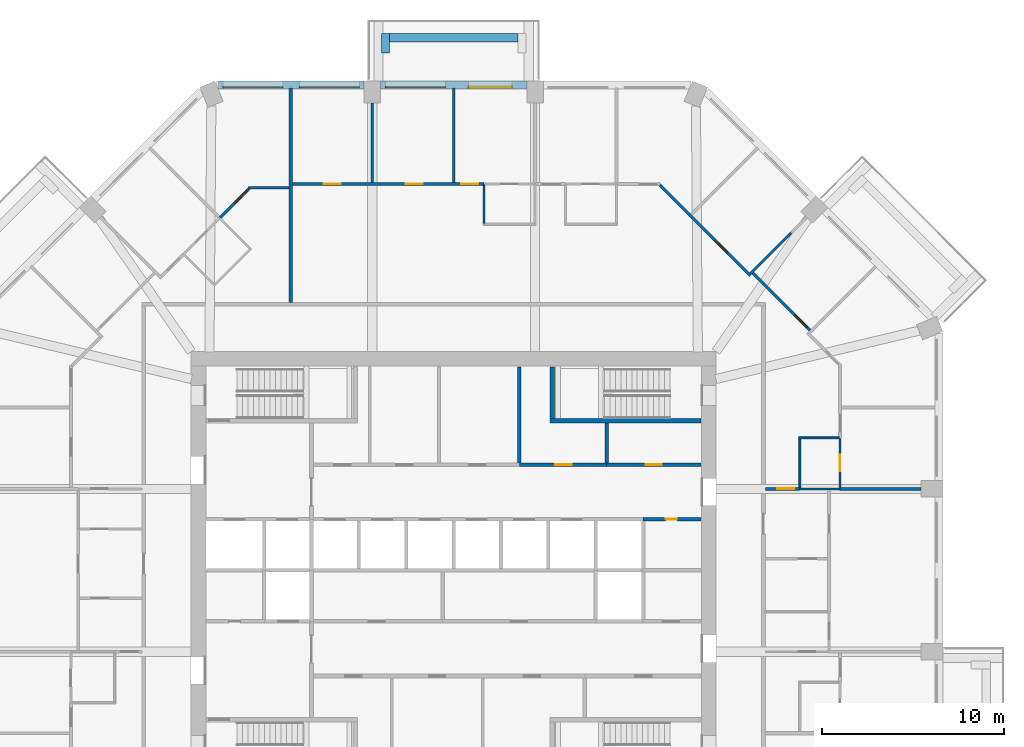
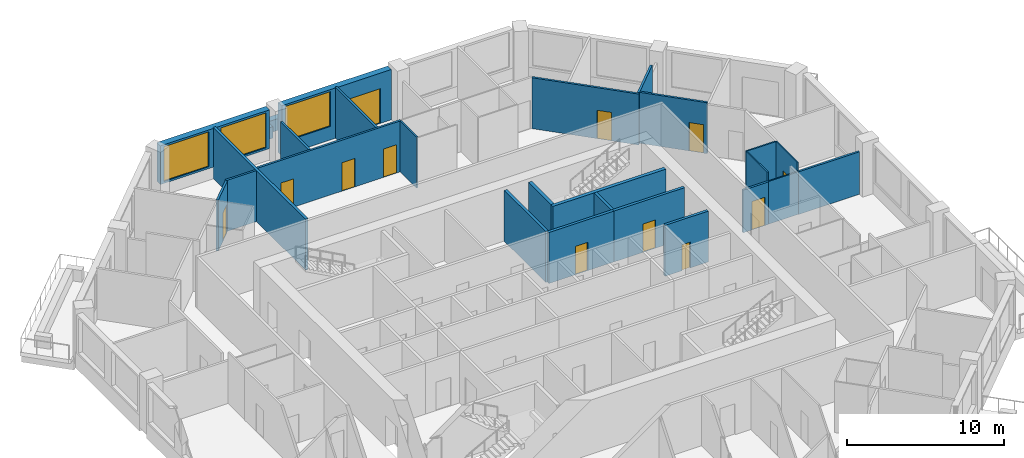
# One storey, part 9 of 12: 27 walls, 12 doors, 3 windows, 15 openings.
"""IFC4 building model written with IfcOpenShell, lengths in metres."""

from ifc_helpers import new_model, si_unit, direction, frame, frame_2d, origin, place, context, subcontext, project, spatial, rectangle, extrude, material, layer, layer_set, type_object, element, fill, save


model = new_model("IFC4")

# Units and contexts
model_context = context("Model", 3, precision=1e-05, world=origin(), true_north=direction((0.0, 1.0)))
body_context = subcontext(model_context, "Body", "Model", "MODEL_VIEW")
ifc_project = project(units=[si_unit("LENGTHUNIT", "METRE"), si_unit("AREAUNIT", "SQUARE_METRE"), si_unit("VOLUMEUNIT", "CUBIC_METRE"), si_unit("PLANEANGLEUNIT", "RADIAN"), si_unit("MASSUNIT", "GRAM", prefix="KILO")], contexts=[model_context])

# Site, building, storey
site_placement = place(None, origin())
site = spatial("IfcSite", under=ifc_project, at=site_placement, CompositionType="ELEMENT")
building_placement = place(site_placement, origin())
building = spatial("IfcBuilding", under=site, at=building_placement, Name="Msitu Wima Residences", CompositionType="ELEMENT")
storey_placement = place(building_placement, frame((0.0, 0.0, 119.10009765625)))
storey = spatial("IfcBuildingStorey", under=building, at=storey_placement, Name="L27", CompositionType="ELEMENT", Elevation=119.10009765625)

# Walls
ifc_material_1 = material(Name="Facing brick")
ifc_layer_1 = layer(ifc_material_1, 0.06494140625, Name="Facing brick")
ifc_material_2 = material(Name="Concrete C40/50", Category="concrete")
ifc_layer_2 = layer(ifc_material_2, 0.156005859375, Name="Concrete C40/50")
ifc_material_3 = material(Name="Waterproofing membrane")
ifc_layer_3 = layer(ifc_material_3, 0.00390625, Name="Waterproofing membrane")
ifc_material_4 = material(Name="Planting soil and planting")
ifc_layer_4 = layer(ifc_material_4, 0.22509765625, Name="Planting soil and planting")
ifc_layer_set_1 = layer_set([ifc_layer_1, ifc_layer_2, ifc_layer_3, ifc_layer_4], Name="Concrete C40/50")
wall_type_1 = type_object("IfcWallType", Name="Balcony planter PLANTER PL450", PredefinedType="USERDEFINED", material=ifc_layer_set_1)
wall_1_placement = place(storey_placement, frame((3.5185546875, 29.22509765625, 0.0), z_axis=(0.0, 0.0, 1.0), x_axis=(-1.0, 0.0, 0.0)))
element("IfcWall", 1, at=wall_1_placement, inside=storey, type_object=wall_type_1, Name="Balcony planter N1 L27", ObjectType="PLANTER", PredefinedType="USERDEFINED", context=body_context, shape_type="SweptSolid", body=[
    extrude(rectangle(XDim=7.037109375, YDim=0.449951171875, at=frame_2d((3.5185546875, 0.0))), origin(), (0.0, 0.0, 1.0), 0.89990234375),
])
wall_2_placement = place(storey_placement, frame((-3.74365234375, 28.39990234375, 0.0), z_axis=(0.0, 0.0, 1.0), x_axis=(0.0, 1.0, 0.0)))
element("IfcWall", 2, at=wall_2_placement, inside=storey, type_object=wall_type_1, Name="Balcony planter N1 L27", ObjectType="PLANTER", PredefinedType="USERDEFINED", context=body_context, shape_type="SweptSolid", body=[
    extrude(rectangle(XDim=1.050048828125, YDim=0.449951171875, at=frame_2d((0.52490234375, 0.0))), origin(), (0.0, 0.0, 1.0), 0.89990234375),
])

# Wall, openings, door, window
ifc_material_5 = material(Name="Brick (red buff mix)", Category="masonry")
ifc_layer_5 = layer(ifc_material_5, 0.449951171875)
ifc_layer_set_2 = layer_set([ifc_layer_5], Name="Brick (red buff mix)")
wall_type_2 = type_object("IfcWallType", Name="Brick infill wall BW450", PredefinedType="SOLIDWALL", material=ifc_layer_set_2)
wall_3_placement = place(storey_placement, frame((4.0185546875, 26.625, 0.0), z_axis=(0.0, 0.0, 1.0), x_axis=(-1.0, 0.0, 0.0)))
wall_3 = element("IfcWall", 3, at=wall_3_placement, inside=storey, type_object=wall_type_2, Name="Brick infill wall L27 N1", PredefinedType="SOLIDWALL", context=body_context, shape_type="SweptSolid", body=[
    extrude(rectangle(XDim=8.037109375, YDim=0.449951171875, at=frame_2d((4.0185546875, 0.0))), origin(), (0.0, 0.0, 1.0), 3.89990234375),
])
opening_1_placement = place(wall_3_placement, frame((0.809326171875, 0.0, 0.0)))
opening_1 = element("IfcOpeningElement", 4, at=opening_1_placement, cuts=wall_3, Name="Opening D27-29.002", PredefinedType="OPENING", context=body_context, shape_type="SweptSolid", body=[
    extrude(rectangle(XDim=2.39990234375, YDim=2.699951171875, at=frame_2d((1.199951171875, 1.35009765625))), frame((0.0, 0.23486328125, 0.0), z_axis=(0.0, -1.0, 0.0), x_axis=(1.0, 0.0, 0.0)), (0.0, 0.0, 1.0), 0.469970703125),
])
opening_2_placement = place(wall_3_placement, frame((4.46875, 0.0, 1.050048828125)))
opening_2 = element("IfcOpeningElement", 5, at=opening_2_placement, cuts=wall_3, Name="Opening W27-29.008", PredefinedType="OPENING", context=body_context, shape_type="SweptSolid", body=[
    extrude(rectangle(XDim=3.300048828125, YDim=2.699951171875, at=frame_2d((1.64990234375, 1.35009765625))), frame((0.0, 0.23486328125, 0.0), z_axis=(0.0, -1.0, 0.0), x_axis=(1.0, 0.0, 0.0)), (0.0, 0.0, 1.0), 0.469970703125),
])
ifc_material_6 = material(Name="Anodised aluminium, bronze finish, clear low-emissivity double glazing", Category="aluminium")
door_type_1 = type_object("IfcDoorType", Name="Balcony door D2400x2700", OperationType="SLIDING_TO_LEFT", PredefinedType="DOOR", material=ifc_material_6)
door_1_placement = place(opening_1_placement, origin())
door_1 = element("IfcDoor", 6, at=door_1_placement, inside=storey, type_object=door_type_1, Name="Balcony door L27 N1", OperationType="SINGLE_SWING_LEFT", OverallHeight=2.699951171875, OverallWidth=2.39990234375, PredefinedType="DOOR", context=body_context, shape_type="SweptSolid", body=[
    extrude(rectangle(XDim=2.39990234375, YDim=2.699951171875, at=frame_2d((1.199951171875, 1.35009765625))), frame((0.0, 0.1298828125, 0.0), z_axis=(0.0, -1.0, 0.0), x_axis=(1.0, 0.0, 0.0)), (0.0, 0.0, 1.0), 0.050048828125),
])
fill(opening_1, door_1)
window_type = type_object("IfcWindowType", Name="Window W3300x2700", PartitioningType="DOUBLE_PANEL_VERTICAL", PredefinedType="WINDOW", material=ifc_material_6)
window_1_placement = place(opening_2_placement, origin())
window_1 = element("IfcWindow", 7, at=window_1_placement, inside=storey, type_object=window_type, Name="Window L27 N1.2", OverallHeight=2.699951171875, OverallWidth=3.300048828125, PartitioningType="SINGLE_PANEL", PredefinedType="WINDOW", context=body_context, shape_type="SweptSolid", body=[
    extrude(rectangle(XDim=3.300048828125, YDim=2.699951171875, at=frame_2d((1.64990234375, 1.35009765625))), frame((0.0, 0.135009765625, 0.0), z_axis=(0.0, -1.0, 0.0), x_axis=(1.0, 0.0, 0.0)), (0.0, 0.0, 1.0), 0.06005859375),
])
fill(opening_2, window_1)

# Wall, openings, windows
wall_4_placement = place(storey_placement, frame((-4.918701171875, 26.625, 0.89990234375), z_axis=(0.0, 0.0, 1.0), x_axis=(-1.0, 0.0, 0.0)))
wall_4 = element("IfcWall", 8, at=wall_4_placement, inside=storey, type_object=wall_type_2, Name="Brick infill wall L27 N2", PredefinedType="SOLIDWALL", context=body_context, shape_type="SweptSolid", body=[
    extrude(rectangle(XDim=8.0, YDim=0.449951171875, at=frame_2d((4.0, 0.0))), origin(), (0.0, 0.0, 1.0), 3.0),
])
opening_3_placement = place(wall_4_placement, frame((0.25, 0.0, 0.14990234375)))
opening_3 = element("IfcOpeningElement", 9, at=opening_3_placement, cuts=wall_4, Name="Opening W27-29.009", PredefinedType="OPENING", context=body_context, shape_type="SweptSolid", body=[
    extrude(rectangle(XDim=3.300048828125, YDim=2.699951171875, at=frame_2d((1.64990234375, 1.35009765625))), frame((0.0, 0.23486328125, 0.0), z_axis=(0.0, -1.0, 0.0), x_axis=(1.0, 0.0, 0.0)), (0.0, 0.0, 1.0), 0.469970703125),
])
opening_4_placement = place(wall_4_placement, frame((4.4501953125, 0.0, 0.14990234375)))
opening_4 = element("IfcOpeningElement", 10, at=opening_4_placement, cuts=wall_4, Name="Opening W27-29.010", PredefinedType="OPENING", context=body_context, shape_type="SweptSolid", body=[
    extrude(rectangle(XDim=3.300048828125, YDim=2.699951171875, at=frame_2d((1.64990234375, 1.35009765625))), frame((0.0, 0.23486328125, 0.0), z_axis=(0.0, -1.0, 0.0), x_axis=(1.0, 0.0, 0.0)), (0.0, 0.0, 1.0), 0.469970703125),
])
window_2_placement = place(opening_3_placement, origin())
window_2 = element("IfcWindow", 11, at=window_2_placement, inside=storey, type_object=window_type, Name="Window L27 N2.1", OverallHeight=2.699951171875, OverallWidth=3.300048828125, PartitioningType="SINGLE_PANEL", PredefinedType="WINDOW", context=body_context, shape_type="SweptSolid", body=[
    extrude(rectangle(XDim=3.300048828125, YDim=2.699951171875, at=frame_2d((1.64990234375, 1.35009765625))), frame((0.0, 0.135009765625, 0.0), z_axis=(0.0, -1.0, 0.0), x_axis=(1.0, 0.0, 0.0)), (0.0, 0.0, 1.0), 0.06005859375),
])
fill(opening_3, window_2)
window_3_placement = place(opening_4_placement, origin())
window_3 = element("IfcWindow", 12, at=window_3_placement, inside=storey, type_object=window_type, Name="Window L27 N2.2", OverallHeight=2.699951171875, OverallWidth=3.300048828125, PartitioningType="SINGLE_PANEL", PredefinedType="WINDOW", context=body_context, shape_type="SweptSolid", body=[
    extrude(rectangle(XDim=3.300048828125, YDim=2.699951171875, at=frame_2d((1.64990234375, 1.35009765625))), frame((0.0, 0.135009765625, 0.0), z_axis=(0.0, -1.0, 0.0), x_axis=(1.0, 0.0, 0.0)), (0.0, 0.0, 1.0), 0.06005859375),
])
fill(opening_4, window_3)

# Wall, opening, door
ifc_material_7 = material(Name="Plaster")
ifc_layer_6 = layer(ifc_material_7, 0.011962890625, Name="Plaster")
ifc_material_8 = material(Name="Concrete blockwork", Category="masonry")
ifc_layer_7 = layer(ifc_material_8, 0.176025390625, Name="Concrete blockwork")
ifc_layer_8 = layer(ifc_material_7, 0.011962890625, Name="Plaster")
ifc_layer_set_3 = layer_set([ifc_layer_6, ifc_layer_7, ifc_layer_8], Name="Concrete blockwork")
wall_type_3 = type_object("IfcWallType", Name="Corridor wall FW200", PredefinedType="PARTITIONING", material=ifc_layer_set_3)
wall_5_placement = place(storey_placement, frame((8.3798828125, 5.800048828125, 0.0), z_axis=(0.0, 0.0, 1.0), x_axis=(1.0, 0.0, 0.0)))
wall_5 = element("IfcWall", 13, at=wall_5_placement, inside=storey, type_object=wall_type_3, Name="Corridor wall", PredefinedType="PARTITIONING", context=body_context, shape_type="SweptSolid", body=[
    extrude(rectangle(XDim=5.190185546875, YDim=0.199951171875, at=frame_2d((2.59521484375, 0.0))), origin(), (0.0, 0.0, 1.0), 3.949951171875),
])
opening_5_placement = place(wall_5_placement, frame((2.14990234375, 0.0, 0.0)))
opening_5 = element("IfcOpeningElement", 14, at=opening_5_placement, cuts=wall_5, Name="Opening D27-29.020", PredefinedType="OPENING", context=body_context, shape_type="SweptSolid", body=[
    extrude(rectangle(XDim=0.89990234375, YDim=2.199951171875, at=frame_2d((0.449951171875, 1.10009765625))), frame((0.0, 0.10986328125, 0.0), z_axis=(0.0, -1.0, 0.0), x_axis=(1.0, 0.0, 0.0)), (0.0, 0.0, 1.0), 0.219970703125),
])
ifc_material_9 = material(Name="Timber flush door", Category="wood")
door_type_2 = type_object("IfcDoorType", Name="Service door D05 900x2200", OperationType="SINGLE_SWING_LEFT", PredefinedType="DOOR", material=ifc_material_9)
door_2_placement = place(opening_5_placement, origin())
door_2 = element("IfcDoor", 15, at=door_2_placement, inside=storey, type_object=door_type_2, Name="Service door", OperationType="SINGLE_SWING_LEFT", OverallHeight=2.199951171875, OverallWidth=0.89990234375, PredefinedType="DOOR", context=body_context, shape_type="SweptSolid", body=[
    extrude(rectangle(XDim=0.89990234375, YDim=2.199951171875, at=frame_2d((0.449951171875, 1.10009765625))), frame((0.0, 0.02490234375, 0.0), z_axis=(0.0, -1.0, 0.0), x_axis=(1.0, 0.0, 0.0)), (0.0, 0.0, 1.0), 0.050048828125),
])
fill(opening_5, door_2)

ifc_layer_9 = layer(ifc_material_7, 0.011962890625, Name="Plaster")
ifc_layer_10 = layer(ifc_material_8, 0.1259765625, Name="Concrete blockwork")
ifc_layer_11 = layer(ifc_material_7, 0.011962890625, Name="Plaster")
ifc_layer_set_4 = layer_set([ifc_layer_9, ifc_layer_10, ifc_layer_11], Name="Concrete blockwork")
wall_type_4 = type_object("IfcWallType", Name="Partition PW150", PredefinedType="PARTITIONING", material=ifc_layer_set_4)
wall_6_placement = place(storey_placement, frame((-12.82177734375, 19.34716796875, 0.0), z_axis=(0.0, 0.0, 1.0), x_axis=(0.707052822105, 0.70716073615, 0.0)))
wall_6 = element("IfcWall", 16, at=wall_6_placement, inside=storey, type_object=wall_type_4, Name="Partition", PredefinedType="PARTITIONING", context=body_context, shape_type="SweptSolid", body=[
    extrude(rectangle(XDim=2.262451171875, YDim=0.14990234375, at=frame_2d((1.13134765625, 0.0))), origin(), (0.0, 0.0, 1.0), 3.949951171875),
])
opening_6_placement = place(wall_6_placement, frame((1.14990234375, 0.0, 0.0)))
opening_6 = element("IfcOpeningElement", 17, at=opening_6_placement, cuts=wall_6, Name="Opening D27-29.057", PredefinedType="OPENING", context=body_context, shape_type="SweptSolid", body=[
    extrude(rectangle(XDim=0.949951171875, YDim=2.199951171875, at=frame_2d((0.47509765625, 1.10009765625))), frame((0.0, 0.0849609375, 0.0), z_axis=(0.0, -1.0, 0.0), x_axis=(1.0, 0.0, 0.0)), (0.0, 0.0, 1.0), 0.169921875),
])
door_type_3 = type_object("IfcDoorType", Name="Room door D12 950x2200", OperationType="SINGLE_SWING_LEFT", PredefinedType="DOOR", material=ifc_material_9)
door_3_placement = place(opening_6_placement, origin())
door_3 = element("IfcDoor", 18, at=door_3_placement, inside=storey, type_object=door_type_3, Name="Room door", OperationType="SINGLE_SWING_LEFT", OverallHeight=2.199951171875, OverallWidth=0.949951171875, PredefinedType="DOOR", context=body_context, shape_type="SweptSolid", body=[
    extrude(rectangle(XDim=0.949951171875, YDim=2.199951171875, at=frame_2d((0.47509765625, 1.10009765625))), frame((0.0, 0.02490234375, 0.0), z_axis=(0.0, -1.0, 0.0), x_axis=(1.0, 0.0, 0.0)), (0.0, 0.0, 1.0), 0.050048828125),
])
fill(opening_6, door_3)

# Wall
wall_7_placement = place(storey_placement, frame((-11.244140625, 21.0, 0.0), z_axis=(0.0, 0.0, 1.0), x_axis=(1.0, 0.0, 0.0)))
element("IfcWall", 19, at=wall_7_placement, inside=storey, type_object=wall_type_4, Name="Partition", PredefinedType="PARTITIONING", context=body_context, shape_type="SweptSolid", body=[
    extrude(rectangle(XDim=2.206787109375, YDim=0.14990234375, at=frame_2d((1.103515625, 0.0))), origin(), (0.0, 0.0, 1.0), 3.949951171875),
])

# Wall, openings, doors
wall_8_placement = place(storey_placement, frame((-8.837158203125, 21.199951171875, 0.0), z_axis=(0.0, 0.0, 1.0), x_axis=(1.0, 0.0, 0.0)))
wall_8 = element("IfcWall", 20, at=wall_8_placement, inside=storey, type_object=wall_type_4, Name="Partition", PredefinedType="PARTITIONING", context=body_context, shape_type="SweptSolid", body=[
    extrude(rectangle(XDim=10.505859375, YDim=0.14990234375, at=frame_2d((5.2529296875, 0.0))), origin(), (0.0, 0.0, 1.0), 3.949951171875),
])
opening_7_placement = place(wall_8_placement, frame((1.699951171875, 0.0, 0.0)))
opening_7 = element("IfcOpeningElement", 21, at=opening_7_placement, cuts=wall_8, Name="Opening D27-29.070", PredefinedType="OPENING", context=body_context, shape_type="SweptSolid", body=[
    extrude(rectangle(XDim=0.949951171875, YDim=2.199951171875, at=frame_2d((0.47509765625, 1.10009765625))), frame((0.0, 0.0849609375, 0.0), z_axis=(0.0, -1.0, 0.0), x_axis=(1.0, 0.0, 0.0)), (0.0, 0.0, 1.0), 0.169921875),
])
opening_8_placement = place(wall_8_placement, frame((9.25, 0.0, 0.0)))
opening_8 = element("IfcOpeningElement", 22, at=opening_8_placement, cuts=wall_8, Name="Opening D27-29.086", PredefinedType="OPENING", context=body_context, shape_type="SweptSolid", body=[
    extrude(rectangle(XDim=0.949951171875, YDim=2.199951171875, at=frame_2d((0.47509765625, 1.10009765625))), frame((0.0, 0.0849609375, 0.0), z_axis=(0.0, -1.0, 0.0), x_axis=(1.0, 0.0, 0.0)), (0.0, 0.0, 1.0), 0.169921875),
])
opening_9_placement = place(wall_8_placement, frame((6.199951171875, 0.0, 0.0)))
opening_9 = element("IfcOpeningElement", 23, at=opening_9_placement, cuts=wall_8, Name="Opening D27-29.041", PredefinedType="OPENING", context=body_context, shape_type="SweptSolid", body=[
    extrude(rectangle(XDim=0.949951171875, YDim=2.199951171875, at=frame_2d((0.47509765625, 1.10009765625))), frame((0.0, 0.0849609375, 0.0), z_axis=(0.0, -1.0, 0.0), x_axis=(1.0, 0.0, 0.0)), (0.0, 0.0, 1.0), 0.169921875),
])
door_4_placement = place(opening_7_placement, origin())
door_4 = element("IfcDoor", 24, at=door_4_placement, inside=storey, type_object=door_type_3, Name="Room door", OperationType="SINGLE_SWING_RIGHT", OverallHeight=2.199951171875, OverallWidth=0.949951171875, PredefinedType="DOOR", context=body_context, shape_type="SweptSolid", body=[
    extrude(rectangle(XDim=0.949951171875, YDim=2.199951171875, at=frame_2d((0.47509765625, 1.10009765625))), frame((0.0, 0.02490234375, 0.0), z_axis=(0.0, -1.0, 0.0), x_axis=(1.0, 0.0, 0.0)), (0.0, 0.0, 1.0), 0.050048828125),
])
fill(opening_7, door_4)
door_5_placement = place(opening_8_placement, origin())
door_5 = element("IfcDoor", 25, at=door_5_placement, inside=storey, type_object=door_type_3, Name="Room door", OperationType="SINGLE_SWING_LEFT", OverallHeight=2.199951171875, OverallWidth=0.949951171875, PredefinedType="DOOR", context=body_context, shape_type="SweptSolid", body=[
    extrude(rectangle(XDim=0.949951171875, YDim=2.199951171875, at=frame_2d((0.47509765625, 1.10009765625))), frame((0.0, 0.02490234375, 0.0), z_axis=(0.0, -1.0, 0.0), x_axis=(1.0, 0.0, 0.0)), (0.0, 0.0, 1.0), 0.050048828125),
])
fill(opening_8, door_5)
door_6_placement = place(opening_9_placement, origin())
door_6 = element("IfcDoor", 26, at=door_6_placement, inside=storey, type_object=door_type_3, Name="Room door", OperationType="SINGLE_SWING_RIGHT", OverallHeight=2.199951171875, OverallWidth=0.949951171875, PredefinedType="DOOR", context=body_context, shape_type="SweptSolid", body=[
    extrude(rectangle(XDim=0.949951171875, YDim=2.199951171875, at=frame_2d((0.47509765625, 1.10009765625))), frame((0.0, 0.02490234375, 0.0), z_axis=(0.0, -1.0, 0.0), x_axis=(1.0, 0.0, 0.0)), (0.0, 0.0, 1.0), 0.050048828125),
])
fill(opening_9, door_6)

# Walls
wall_9_placement = place(storey_placement, frame((-4.46875, 21.27490234375, 0.0), z_axis=(0.0, 0.0, 1.0), x_axis=(0.0, 1.0, 0.0)))
element("IfcWall", 27, at=wall_9_placement, inside=storey, type_object=wall_type_4, Name="Partition", PredefinedType="PARTITIONING", context=body_context, shape_type="SweptSolid", body=[
    extrude(rectangle(XDim=4.375, YDim=0.14990234375, at=frame_2d((2.1875, 0.0))), origin(), (0.0, 0.0, 1.0), 3.2998046875),
])
wall_10_placement = place(storey_placement, frame((0.0, 21.27490234375, 0.0), z_axis=(0.0, 0.0, 1.0), x_axis=(0.0, 1.0, 0.0)))
element("IfcWall", 28, at=wall_10_placement, inside=storey, type_object=wall_type_4, Name="Partition", PredefinedType="PARTITIONING", context=body_context, shape_type="SweptSolid", body=[
    extrude(rectangle(XDim=5.18017578125, YDim=0.14990234375, at=frame_2d((2.590087890625, 0.0))), origin(), (0.0, 0.0, 1.0), 3.949951171875),
])

# Wall, opening, door
wall_11_placement = place(storey_placement, frame((11.304931640625, 21.14697265625, 0.0), z_axis=(0.0, 0.0, 1.0), x_axis=(0.707106781187, -0.707106781187, 0.0)))
wall_11 = element("IfcWall", 29, at=wall_11_placement, inside=storey, type_object=wall_type_4, Name="Partition", PredefinedType="PARTITIONING", context=body_context, shape_type="SweptSolid", body=[
    extrude(rectangle(XDim=7.034423828125, YDim=0.14990234375, at=frame_2d((3.51708984375, 0.0))), origin(), (0.0, 0.0, 1.0), 3.949951171875),
])
opening_10_placement = place(wall_11_placement, frame((4.300048828125, 0.0, 0.0)))
opening_10 = element("IfcOpeningElement", 30, at=opening_10_placement, cuts=wall_11, Name="Opening D27-29.059", PredefinedType="OPENING", context=body_context, shape_type="SweptSolid", body=[
    extrude(rectangle(XDim=0.949951171875, YDim=2.199951171875, at=frame_2d((0.47509765625, 1.10009765625))), frame((0.0, 0.0849609375, 0.0), z_axis=(0.0, -1.0, 0.0), x_axis=(1.0, 0.0, 0.0)), (0.0, 0.0, 1.0), 0.169921875),
])
door_7_placement = place(opening_10_placement, origin())
door_7 = element("IfcDoor", 31, at=door_7_placement, inside=storey, type_object=door_type_3, Name="Room door", OperationType="SINGLE_SWING_RIGHT", OverallHeight=2.199951171875, OverallWidth=0.949951171875, PredefinedType="DOOR", context=body_context, shape_type="SweptSolid", body=[
    extrude(rectangle(XDim=0.949951171875, YDim=2.199951171875, at=frame_2d((0.47509765625, 1.10009765625))), frame((0.0, 0.02490234375, 0.0), z_axis=(0.0, -1.0, 0.0), x_axis=(1.0, 0.0, 0.0)), (0.0, 0.0, 1.0), 0.050048828125),
])
fill(opening_10, door_7)

# Wall
wall_12_placement = place(storey_placement, frame((16.279052734375, 16.279052734375, 0.0), z_axis=(0.0, 0.0, 1.0), x_axis=(0.707106781187, 0.707106781187, 0.0)))
element("IfcWall", 32, at=wall_12_placement, inside=storey, type_object=wall_type_4, Name="Partition", PredefinedType="PARTITIONING", context=body_context, shape_type="SweptSolid", body=[
    extrude(rectangle(XDim=3.165771484375, YDim=0.14990234375, at=frame_2d((1.5830078125, 0.0))), origin(), (0.0, 0.0, 1.0), 3.949951171875),
])

# Wall, opening, door
wall_13_placement = place(storey_placement, frame((16.42041015625, 16.314453125, 0.0), z_axis=(0.0, 0.0, 1.0), x_axis=(0.707106781187, -0.707106781187, 0.0)))
wall_13 = element("IfcWall", 33, at=wall_13_placement, inside=storey, type_object=wall_type_4, Name="Partition", PredefinedType="PARTITIONING", context=body_context, shape_type="SweptSolid", body=[
    extrude(rectangle(XDim=4.4443359375, YDim=0.14990234375, at=frame_2d((2.22216796875, 0.0))), origin(), (0.0, 0.0, 1.0), 3.949951171875),
])
opening_11_placement = place(wall_13_placement, frame((3.25, 0.0, 0.0)))
opening_11 = element("IfcOpeningElement", 34, at=opening_11_placement, cuts=wall_13, Name="Opening D27-29.039", PredefinedType="OPENING", context=body_context, shape_type="SweptSolid", body=[
    extrude(rectangle(XDim=0.949951171875, YDim=2.199951171875, at=frame_2d((0.47509765625, 1.10009765625))), frame((0.0, 0.0849609375, 0.0), z_axis=(0.0, -1.0, 0.0), x_axis=(1.0, 0.0, 0.0)), (0.0, 0.0, 1.0), 0.169921875),
])
door_8_placement = place(opening_11_placement, origin())
door_8 = element("IfcDoor", 35, at=door_8_placement, inside=storey, type_object=door_type_3, Name="Room door", OperationType="SINGLE_SWING_RIGHT", OverallHeight=2.199951171875, OverallWidth=0.949951171875, PredefinedType="DOOR", context=body_context, shape_type="SweptSolid", body=[
    extrude(rectangle(XDim=0.949951171875, YDim=2.199951171875, at=frame_2d((0.47509765625, 1.10009765625))), frame((0.0, 0.02490234375, 0.0), z_axis=(0.0, -1.0, 0.0), x_axis=(1.0, 0.0, 0.0)), (0.0, 0.0, 1.0), 0.050048828125),
])
fill(opening_11, door_8)

wall_14_placement = place(storey_placement, frame((17.10009765625, 4.46875, 0.0), z_axis=(0.0, 0.0, 1.0), x_axis=(1.0, 0.0, 0.0)))
wall_14 = element("IfcWall", 36, at=wall_14_placement, inside=storey, type_object=wall_type_4, Name="Partition", PredefinedType="PARTITIONING", context=body_context, shape_type="SweptSolid", body=[
    extrude(rectangle(XDim=1.8798828125, YDim=0.14990234375, at=frame_2d((0.93994140625, 0.0))), origin(), (0.0, 0.0, 1.0), 3.2998046875),
])
opening_12_placement = place(wall_14_placement, frame((0.64990234375, 0.0, 0.0)))
opening_12 = element("IfcOpeningElement", 37, at=opening_12_placement, cuts=wall_14, Name="Opening D27-29.048", PredefinedType="OPENING", context=body_context, shape_type="SweptSolid", body=[
    extrude(rectangle(XDim=0.949951171875, YDim=2.199951171875, at=frame_2d((0.47509765625, 1.10009765625))), frame((0.0, 0.0849609375, 0.0), z_axis=(0.0, -1.0, 0.0), x_axis=(1.0, 0.0, 0.0)), (0.0, 0.0, 1.0), 0.169921875),
])
door_9_placement = place(opening_12_placement, origin())
door_9 = element("IfcDoor", 38, at=door_9_placement, inside=storey, type_object=door_type_3, Name="Room door", OperationType="SINGLE_SWING_RIGHT", OverallHeight=2.199951171875, OverallWidth=0.949951171875, PredefinedType="DOOR", context=body_context, shape_type="SweptSolid", body=[
    extrude(rectangle(XDim=0.949951171875, YDim=2.199951171875, at=frame_2d((0.47509765625, 1.10009765625))), frame((0.0, 0.02490234375, 0.0), z_axis=(0.0, -1.0, 0.0), x_axis=(1.0, 0.0, 0.0)), (0.0, 0.0, 1.0), 0.050048828125),
])
fill(opening_12, door_9)

# Walls
wall_15_placement = place(storey_placement, frame((21.179931640625, 4.46875, 0.0), z_axis=(0.0, 0.0, 1.0), x_axis=(1.0, 0.0, 0.0)))
element("IfcWall", 39, at=wall_15_placement, inside=storey, type_object=wall_type_4, Name="Partition", PredefinedType="PARTITIONING", context=body_context, shape_type="SweptSolid", body=[
    extrude(rectangle(XDim=4.469970703125, YDim=0.14990234375, at=frame_2d((2.23486328125, 0.0))), origin(), (0.0, 0.0, 1.0), 3.2998046875),
])
ifc_layer_12 = layer(ifc_material_7, 0.011962890625, Name="Plaster")
ifc_material_10 = material(Name="Dense concrete blockwork", Category="masonry")
ifc_layer_13 = layer(ifc_material_10, 0.176025390625, Name="Dense concrete blockwork")
ifc_layer_14 = layer(ifc_material_7, 0.011962890625, Name="Plaster")
ifc_layer_set_5 = layer_set([ifc_layer_12, ifc_layer_13, ifc_layer_14], Name="Dense concrete blockwork")
wall_type_5 = type_object("IfcWallType", Name="Party wall PW200", PredefinedType="PARTITIONING", material=ifc_layer_set_5)
wall_16_placement = place(storey_placement, frame((-8.937255859375, 14.699951171875, 0.0), z_axis=(0.0, 0.0, 1.0), x_axis=(0.0, 1.0, 0.0)))
element("IfcWall", 40, at=wall_16_placement, inside=storey, type_object=wall_type_5, Name="Party wall", PredefinedType="PARTITIONING", context=body_context, shape_type="SweptSolid", body=[
    extrude(rectangle(XDim=11.755126953125, YDim=0.199951171875, at=frame_2d((5.87744140625, 0.0))), origin(), (0.0, 0.0, 1.0), 3.949951171875),
])

# Wall, opening, door
ifc_layer_15 = layer(ifc_material_7, 0.011962890625, Name="Plaster")
ifc_material_11 = material(Name="Reinforced concrete blockwork", Category="masonry")
ifc_layer_16 = layer(ifc_material_11, 0.176025390625, Name="Reinforced concrete blockwork")
ifc_layer_17 = layer(ifc_material_7, 0.011962890625, Name="Plaster")
ifc_layer_set_6 = layer_set([ifc_layer_15, ifc_layer_16, ifc_layer_17], Name="Reinforced concrete blockwork")
wall_type_6 = type_object("IfcWallType", Name="Plant and riser wall PL200", PredefinedType="PARTITIONING", material=ifc_layer_set_6)
wall_17_placement = place(storey_placement, frame((3.6201171875, 5.800048828125, 0.0), z_axis=(0.0, 0.0, 1.0), x_axis=(1.0, 0.0, 0.0)))
wall_17 = element("IfcWall", 41, at=wall_17_placement, inside=storey, type_object=wall_type_6, Name="Plant and riser wall", PredefinedType="PARTITIONING", context=body_context, shape_type="SweptSolid", body=[
    extrude(rectangle(XDim=4.759765625, YDim=0.199951171875, at=frame_2d((2.3798828125, 0.0))), origin(), (0.0, 0.0, 1.0), 3.949951171875),
])
opening_13_placement = place(wall_17_placement, frame((1.949951171875, 0.0, 0.0)))
opening_13 = element("IfcOpeningElement", 42, at=opening_13_placement, cuts=wall_17, Name="Opening D27-29.019", PredefinedType="OPENING", context=body_context, shape_type="SweptSolid", body=[
    extrude(rectangle(XDim=0.89990234375, YDim=2.199951171875, at=frame_2d((0.449951171875, 1.10009765625))), frame((0.0, 0.10986328125, 0.0), z_axis=(0.0, -1.0, 0.0), x_axis=(1.0, 0.0, 0.0)), (0.0, 0.0, 1.0), 0.219970703125),
])
door_10_placement = place(opening_13_placement, origin())
door_10 = element("IfcDoor", 43, at=door_10_placement, inside=storey, type_object=door_type_2, Name="Service door", OperationType="SINGLE_SWING_RIGHT", OverallHeight=2.199951171875, OverallWidth=0.89990234375, PredefinedType="DOOR", context=body_context, shape_type="SweptSolid", body=[
    extrude(rectangle(XDim=0.89990234375, YDim=2.199951171875, at=frame_2d((0.449951171875, 1.10009765625))), frame((0.0, 0.02490234375, 0.0), z_axis=(0.0, -1.0, 0.0), x_axis=(1.0, 0.0, 0.0)), (0.0, 0.0, 1.0), 0.050048828125),
])
fill(opening_13, door_10)

# Walls
wall_18_placement = place(storey_placement, frame((3.60009765625, 5.89990234375, 0.0), z_axis=(0.0, 0.0, 1.0), x_axis=(0.0, 1.0, 0.0)))
element("IfcWall", 44, at=wall_18_placement, inside=storey, type_object=wall_type_6, Name="Plant and riser wall", PredefinedType="PARTITIONING", context=body_context, shape_type="SweptSolid", body=[
    extrude(rectangle(XDim=5.27001953125, YDim=0.199951171875, at=frame_2d((2.635009765625, 0.0))), origin(), (0.0, 0.0, 1.0), 3.949951171875),
])
wall_19_placement = place(storey_placement, frame((8.39990234375, 5.89990234375, 0.0), z_axis=(0.0, 0.0, 1.0), x_axis=(0.0, 1.0, 0.0)))
element("IfcWall", 45, at=wall_19_placement, inside=storey, type_object=wall_type_6, Name="Plant and riser wall", PredefinedType="PARTITIONING", context=body_context, shape_type="SweptSolid", body=[
    extrude(rectangle(XDim=2.175048828125, YDim=0.199951171875, at=frame_2d((1.08740234375, 0.0))), origin(), (0.0, 0.0, 1.0), 3.949951171875),
])

# Wall, opening, door
wall_20_placement = place(storey_placement, frame((10.39990234375, 2.800048828125, 0.0), z_axis=(0.0, 0.0, 1.0), x_axis=(1.0, 0.0, 0.0)))
wall_20 = element("IfcWall", 46, at=wall_20_placement, inside=storey, type_object=wall_type_6, Name="Plant and riser wall", PredefinedType="PARTITIONING", context=body_context, shape_type="SweptSolid", body=[
    extrude(rectangle(XDim=3.170166015625, YDim=0.199951171875, at=frame_2d((1.5849609375, 0.0))), origin(), (0.0, 0.0, 1.0), 3.949951171875),
])
opening_14_placement = place(wall_20_placement, frame((1.25, 0.0, 0.0)))
opening_14 = element("IfcOpeningElement", 47, at=opening_14_placement, cuts=wall_20, Name="Opening D27-29.027", PredefinedType="OPENING", context=body_context, shape_type="SweptSolid", body=[
    extrude(rectangle(XDim=0.60009765625, YDim=2.0, at=frame_2d((0.300048828125, 1.0))), frame((0.0, 0.10986328125, 0.0), z_axis=(0.0, -1.0, 0.0), x_axis=(1.0, 0.0, 0.0)), (0.0, 0.0, 1.0), 0.219970703125),
])
ifc_material_12 = material(Name="Steel access door, fire resisting", Category="steel")
door_type_4 = type_object("IfcDoorType", Name="Riser access door D08 600x2000", OperationType="SINGLE_SWING_LEFT", PredefinedType="DOOR", material=ifc_material_12)
door_11_placement = place(opening_14_placement, origin())
door_11 = element("IfcDoor", 48, at=door_11_placement, inside=storey, type_object=door_type_4, Name="Riser access door", OperationType="SINGLE_SWING_RIGHT", OverallHeight=2.0, OverallWidth=0.60009765625, PredefinedType="DOOR", context=body_context, shape_type="SweptSolid", body=[
    extrude(rectangle(XDim=0.60009765625, YDim=2.0, at=frame_2d((0.300048828125, 1.0))), frame((0.0, 0.02490234375, 0.0), z_axis=(0.0, -1.0, 0.0), x_axis=(1.0, 0.0, 0.0)), (0.0, 0.0, 1.0), 0.050048828125),
])
fill(opening_14, door_11)

# Walls
ifc_material_13 = material(Name="Concrete C50/60", Category="concrete")
ifc_layer_18 = layer(ifc_material_13, 0.25)
ifc_layer_set_7 = layer_set([ifc_layer_18], Name="Concrete C50/60")
wall_type_7 = type_object("IfcWallType", Name="Stair enclosure wall SW250", PredefinedType="SHEAR", material=ifc_layer_set_7)
wall_21_placement = place(storey_placement, frame((5.39990234375, 8.324951171875, 0.0), z_axis=(0.0, 0.0, 1.0), x_axis=(0.0, 1.0, 0.0)))
element("IfcWall", 49, at=wall_21_placement, inside=storey, type_object=wall_type_7, Name="Stair enclosure wall", PredefinedType="SHEAR", context=body_context, shape_type="SweptSolid", body=[
    extrude(rectangle(XDim=2.844970703125, YDim=0.25, at=frame_2d((1.42236328125, 0.0))), origin(), (0.0, 0.0, 1.0), 3.949951171875),
])
wall_22_placement = place(storey_placement, frame((5.27490234375, 8.199951171875, 0.0), z_axis=(0.0, 0.0, 1.0), x_axis=(1.0, 0.0, 0.0)))
element("IfcWall", 50, at=wall_22_placement, inside=storey, type_object=wall_type_7, Name="Stair enclosure wall", PredefinedType="SHEAR", context=body_context, shape_type="SweptSolid", body=[
    extrude(rectangle(XDim=8.295166015625, YDim=0.25, at=frame_2d((4.1474609375, 0.0))), origin(), (0.0, 0.0, 1.0), 3.949951171875),
])
ifc_material_14 = material(Name="Ceramic tiles")
ifc_layer_19 = layer(ifc_material_14, 0.008056640625, Name="Ceramic tiles")
ifc_material_15 = material(Name="Moisture-resistant board")
ifc_layer_20 = layer(ifc_material_15, 0.012451171875, Name="Moisture-resistant board")
ifc_material_16 = material(Name="Light-gauge stud framing with mineral wool")
ifc_layer_21 = layer(ifc_material_16, 0.06689453125, Name="Light-gauge stud framing with mineral wool")
ifc_layer_22 = layer(ifc_material_15, 0.012451171875, Name="Moisture-resistant board")
ifc_layer_set_8 = layer_set([ifc_layer_19, ifc_layer_20, ifc_layer_21, ifc_layer_22], Name="Light-gauge stud framing with mineral wool")
wall_type_8 = type_object("IfcWallType", Name="Wet wall PW100", PredefinedType="PARTITIONING", material=ifc_layer_set_8)
wall_23_placement = place(storey_placement, frame((1.668701171875, 19.050048828125, 0.0), z_axis=(0.0, 0.0, 1.0), x_axis=(0.0, 1.0, 0.0)))
element("IfcWall", 51, at=wall_23_placement, inside=storey, type_object=wall_type_8, Name="Wet wall", PredefinedType="PARTITIONING", context=body_context, shape_type="SweptSolid", body=[
    extrude(rectangle(XDim=2.099853515625, YDim=0.10009765625, at=frame_2d((1.0498046875, 0.0))), origin(), (0.0, 0.0, 1.0), 3.949951171875),
])
wall_24_placement = place(storey_placement, frame((18.97998046875, 4.46875, 0.0), z_axis=(0.0, 0.0, 1.0), x_axis=(1.0, 0.0, 0.0)))
element("IfcWall", 52, at=wall_24_placement, inside=storey, type_object=wall_type_8, Name="Wet wall", PredefinedType="PARTITIONING", context=body_context, shape_type="SweptSolid", body=[
    extrude(rectangle(XDim=2.199951171875, YDim=0.10009765625, at=frame_2d((1.10009765625, 0.0))), origin(), (0.0, 0.0, 1.0), 3.2998046875),
])
wall_25_placement = place(storey_placement, frame((19.0, 4.543701171875, 0.0), z_axis=(0.0, 0.0, 1.0), x_axis=(0.0, 1.0, 0.0)))
element("IfcWall", 53, at=wall_25_placement, inside=storey, type_object=wall_type_8, Name="Wet wall", PredefinedType="PARTITIONING", context=body_context, shape_type="SweptSolid", body=[
    extrude(rectangle(XDim=2.675048828125, YDim=0.10009765625, at=frame_2d((1.33740234375, 0.0))), origin(), (0.0, 0.0, 1.0), 3.949951171875),
])
wall_26_placement = place(storey_placement, frame((18.949951171875, 7.2685546875, 0.0), z_axis=(0.0, 0.0, 1.0), x_axis=(1.0, 0.0, 0.0)))
element("IfcWall", 54, at=wall_26_placement, inside=storey, type_object=wall_type_8, Name="Wet wall", PredefinedType="PARTITIONING", context=body_context, shape_type="SweptSolid", body=[
    extrude(rectangle(XDim=2.199951171875, YDim=0.10009765625, at=frame_2d((1.10009765625, 0.0))), origin(), (0.0, 0.0, 1.0), 3.949951171875),
])

# Wall, opening, door
wall_27_placement = place(storey_placement, frame((21.199951171875, 4.543701171875, 0.0), z_axis=(0.0, 0.0, 1.0), x_axis=(0.0, 1.0, 0.0)))
wall_27 = element("IfcWall", 55, at=wall_27_placement, inside=storey, type_object=wall_type_8, Name="Wet wall", PredefinedType="PARTITIONING", context=body_context, shape_type="SweptSolid", body=[
    extrude(rectangle(XDim=2.704833984375, YDim=0.10009765625, at=frame_2d((1.3525390625, 0.0))), origin(), (0.0, 0.0, 1.0), 3.949951171875),
])
opening_15_placement = place(wall_27_placement, frame((0.89990234375, 0.0, 0.0)))
opening_15 = element("IfcOpeningElement", 56, at=opening_15_placement, cuts=wall_27, Name="Opening D27-29.038", PredefinedType="OPENING", context=body_context, shape_type="SweptSolid", body=[
    extrude(rectangle(XDim=0.89990234375, YDim=2.199951171875, at=frame_2d((0.449951171875, 1.10009765625))), frame((0.0, 0.06005859375, 0.0), z_axis=(0.0, -1.0, 0.0), x_axis=(1.0, 0.0, 0.0)), (0.0, 0.0, 1.0), 0.1201171875),
])
ifc_material_17 = material(Name="Timber flush door, moisture resistant", Category="wood")
door_type_5 = type_object("IfcDoorType", Name="Bathroom door D03 900x2200", OperationType="SINGLE_SWING_LEFT", PredefinedType="DOOR", material=ifc_material_17)
door_12_placement = place(opening_15_placement, origin())
door_12 = element("IfcDoor", 57, at=door_12_placement, inside=storey, type_object=door_type_5, Name="Bathroom door", OperationType="SINGLE_SWING_RIGHT", OverallHeight=2.199951171875, OverallWidth=0.89990234375, PredefinedType="DOOR", context=body_context, shape_type="SweptSolid", body=[
    extrude(rectangle(XDim=0.89990234375, YDim=2.199951171875, at=frame_2d((0.449951171875, 1.10009765625))), frame((0.0, 0.02490234375, 0.0), z_axis=(0.0, -1.0, 0.0), x_axis=(1.0, 0.0, 0.0)), (0.0, 0.0, 1.0), 0.050048828125),
])
fill(opening_15, door_12)

save(model, "model.ifc")
